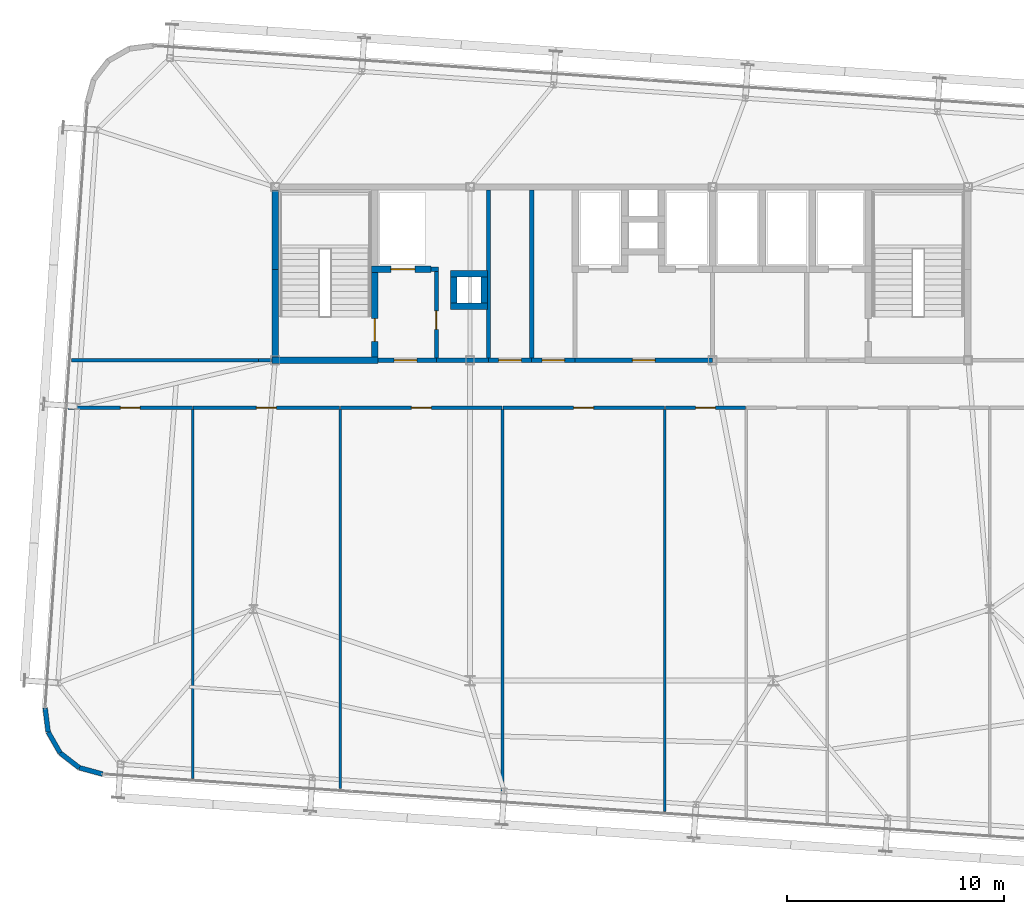
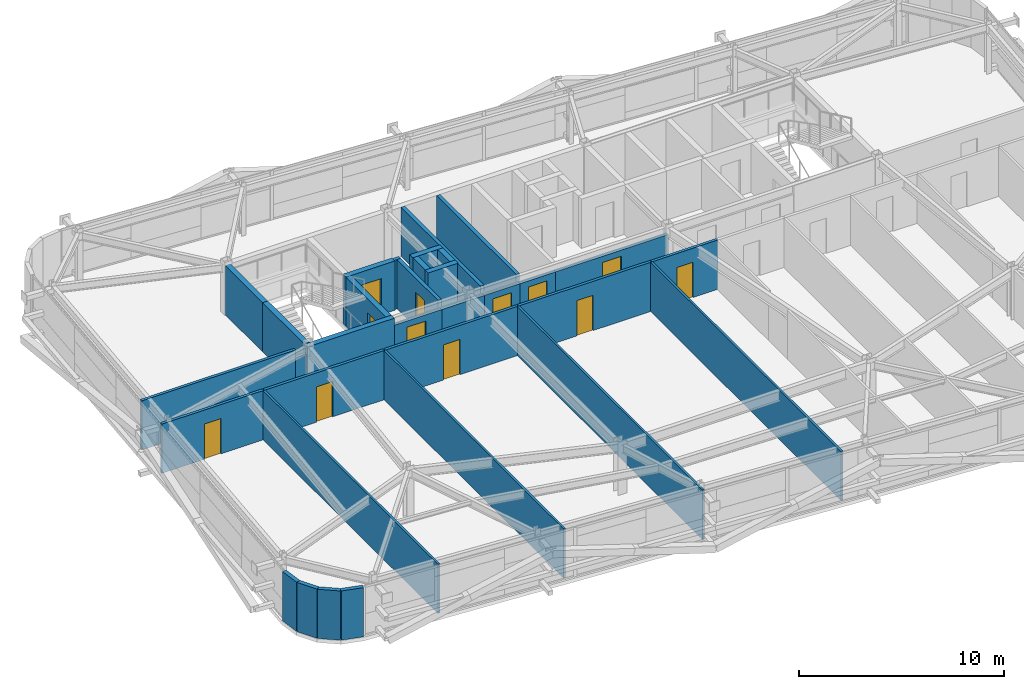
# One storey, part 35 of 39: 33 walls, 12 doors, 12 openings.
"""IFC4 building model written with IfcOpenShell, lengths in metres."""

from ifc_helpers import new_model, si_unit, direction, frame, frame_2d, origin, place, context, subcontext, project, spatial, rectangle, extrude, source, transform, mapped, material, layer, layer_set, type_object, element, fill, save


model = new_model("IFC4")

# Units and contexts
model_context = context("Model", 3, precision=1e-05, world=origin(), true_north=direction((0.0, 1.0)))
body_context = subcontext(model_context, "Body", "Model", "MODEL_VIEW")
ifc_project = project(units=[si_unit("LENGTHUNIT", "METRE"), si_unit("AREAUNIT", "SQUARE_METRE"), si_unit("VOLUMEUNIT", "CUBIC_METRE"), si_unit("PLANEANGLEUNIT", "RADIAN"), si_unit("MASSUNIT", "GRAM", prefix="KILO")], contexts=[model_context])

# Site, building, storey
site_placement = place(None, origin())
site = spatial("IfcSite", under=ifc_project, at=site_placement, CompositionType="ELEMENT")
building_placement = place(site_placement, origin())
building = spatial("IfcBuilding", under=site, at=building_placement, Name="Taldren Reach Tower", CompositionType="ELEMENT")
storey_placement = place(building_placement, frame((0.0, 0.0, 133.0)))
storey = spatial("IfcBuildingStorey", under=building, at=storey_placement, Name="L40", CompositionType="ELEMENT", Elevation=133.0)

# Walls
ifc_material_1 = material(Name="Pale Champagne Anodised Aluminium Cladding", Category="aluminium")
ifc_layer_1 = layer(ifc_material_1, 0.04, Name="Pale Champagne Anodised Aluminium Cladding", Category="aluminium")
ifc_material_2 = material(Name="Mineral Wool Acoustic Insulation", Category="insulation")
ifc_layer_2 = layer(ifc_material_2, 0.06, Name="Mineral Wool Acoustic Insulation", Category="insulation")
ifc_material_3 = material(Name="Steel Gr 350 (C350L0)", Category="steel")
ifc_layer_3 = layer(ifc_material_3, 0.12, Name="Steel Gr 350 (C350L0)", Category="steel")
ifc_layer_set_1 = layer_set([ifc_layer_1, ifc_layer_2, ifc_layer_3], Name="Pale Champagne Aluminium Cladding and Steel Gr 350 Stud Framing")
wall_type_1 = type_object("IfcWallType", Name="EW-CRN-220", PredefinedType="SOLIDWALL", material=ifc_layer_set_1)
shared_shape_1 = source(origin(), body_context, "Body", "SweptSolid", [
    extrude(rectangle(XDim=1.115966796875, YDim=0.219970703125, at=frame_2d((0.55810546875, 0.0))), origin(), (0.0, 0.0, 1.0), 2.929931640625),
])
for number, where, z_axis, x_axis, name in (
    (1, (8.37646484375, 7.93798828125, 0.0), (0.0, 0.0, 1.0), (0.126242535829, -0.991999406324, 0.0), "Rounded-corner pale-metal facade wall L40-SW1"),
    (2, (8.517333984375, 6.8310546875, 0.0), (0.0, 0.0, 1.0), (0.496138938357, -0.868243142124, 0.0), "Rounded-corner pale-metal facade wall L40-SW2"),
    (3, (9.071044921875, 5.862060546875, 0.0), (0.0, 0.0, 1.0), (0.790716874741, -0.612182018684, 0.0), "Rounded-corner pale-metal facade wall L40-SW3"),
    (4, (9.953369140625, 5.178955078125, 0.0), (0.0, 0.0, 1.0), (0.964804199372, -0.262969307856, 0.0), "Rounded-corner pale-metal facade wall L40-SW4"),
):
    element("IfcWall", number, at=place(storey_placement, frame(where, z_axis=z_axis, x_axis=x_axis)), inside=storey, type_object=wall_type_1, Name=name, PredefinedType="SOLIDWALL", context=body_context, shape_type="MappedRepresentation", body=[
        mapped(shared_shape_1, transform((0.0, 0.0, 0.0), scale=1.0)),
    ])

# Wall, opening, door
ifc_material_4 = material(Name="Concrete S50 (50 MPa)", Category="concrete")
ifc_layer_4 = layer(ifc_material_4, 0.199951171875)
ifc_layer_set_2 = layer_set([ifc_layer_4], Name="Concrete S50 (50 MPa)")
wall_type_2 = type_object("IfcWallType", Name="IW-CORE-200", PredefinedType="SOLIDWALL", material=ifc_layer_set_2)
shared_shape_2 = source(origin(), body_context, "Body", "SweptSolid", [
    extrude(rectangle(XDim=2.0, YDim=0.199951171875, at=frame_2d((1.0, 0.0))), origin(), (0.0, 0.0, 1.0), 2.469970703125),
])
wall_1_placement = place(storey_placement, frame((30.85009765625, 24.0, 0.0), z_axis=(0.0, 0.0, 1.0), x_axis=(-1.0, 0.0, 0.0)))
wall_1 = element("IfcWall", 5, at=wall_1_placement, inside=storey, type_object=wall_type_2, Name="Rear Core Shear Wall W-INT-L40-039", PredefinedType="SOLIDWALL", context=body_context, shape_type="MappedRepresentation", body=[
    mapped(shared_shape_2, transform((0.0, 0.0, 0.0), scale=1.0)),
])
shared_shape_3 = source(origin(), body_context, "Body", "SweptSolid", [
    extrude(rectangle(XDim=1.050048828125, YDim=2.10009765625, at=frame_2d((0.52490234375, 1.050048828125))), frame((0.0, 0.10986328125, 0.0), z_axis=(0.0, -1.0, 0.0), x_axis=(1.0, 0.0, 0.0)), (0.0, 0.0, 1.0), 0.219970703125),
])
opening_1_placement = place(wall_1_placement, frame((0.47509765625, 0.0, 0.0)))
opening_1 = element("IfcOpeningElement", 6, at=opening_1_placement, cuts=wall_1, Name="Opening DF-105", PredefinedType="OPENING", context=body_context, shape_type="MappedRepresentation", body=[
    mapped(shared_shape_3, transform((0.0, 0.0, 0.0), scale=1.0)),
])
ifc_material_5 = material(Name="Fire-Rated Care and Stair Exit Door")
door_type_1 = type_object("IfcDoorType", Name="ID-FIRE-105", OperationType="NOTDEFINED", PredefinedType="DOOR", material=ifc_material_5)
shared_shape_4 = source(origin(), body_context, "Body", "SweptSolid", [
    extrude(rectangle(XDim=1.050048828125, YDim=2.10009765625, at=frame_2d((0.52490234375, 1.050048828125))), frame((0.0, 0.02490234375, 0.0), z_axis=(0.0, -1.0, 0.0), x_axis=(1.0, 0.0, 0.0)), (0.0, 0.0, 1.0), 0.050048828125),
])
door_1_placement = place(opening_1_placement, frame((1.050048828125, 0.0, 0.0), z_axis=(0.0, 0.0, 1.0), x_axis=(-1.0, 0.0, 0.0)))
door_1 = element("IfcDoor", 7, at=door_1_placement, inside=storey, type_object=door_type_1, Name="Interior Door DR-L40-006", OperationType="SINGLE_SWING_RIGHT", OverallHeight=2.10009765625, OverallWidth=1.050048828125, PredefinedType="DOOR", context=body_context, shape_type="MappedRepresentation", body=[
    mapped(shared_shape_4, transform((0.0, 0.0, 0.0), scale=1.0)),
])
fill(opening_1, door_1)

wall_2_placement = place(storey_placement, frame((32.85009765625, 24.0, 0.0), z_axis=(0.0, 0.0, 1.0), x_axis=(-1.0, 0.0, 0.0)))
wall_2 = element("IfcWall", 8, at=wall_2_placement, inside=storey, type_object=wall_type_2, Name="Rear Core Shear Wall W-INT-L40-040", PredefinedType="SOLIDWALL", context=body_context, shape_type="MappedRepresentation", body=[
    mapped(shared_shape_2, transform((0.0, 0.0, 0.0), scale=1.0)),
])
opening_2_placement = place(wall_2_placement, frame((0.47509765625, 0.0, 0.0)))
opening_2 = element("IfcOpeningElement", 9, at=opening_2_placement, cuts=wall_2, Name="Opening DF-105", PredefinedType="OPENING", context=body_context, shape_type="MappedRepresentation", body=[
    mapped(shared_shape_3, transform((0.0, 0.0, 0.0), scale=1.0)),
])
door_2_placement = place(opening_2_placement, frame((1.050048828125, 0.0, 0.0), z_axis=(0.0, 0.0, 1.0), x_axis=(-1.0, 0.0, 0.0)))
door_2 = element("IfcDoor", 10, at=door_2_placement, inside=storey, type_object=door_type_1, Name="Interior Door DR-L40-007", OperationType="SINGLE_SWING_LEFT", OverallHeight=2.10009765625, OverallWidth=1.050048828125, PredefinedType="DOOR", context=body_context, shape_type="MappedRepresentation", body=[
    mapped(shared_shape_4, transform((0.0, 0.0, 0.0), scale=1.0)),
])
fill(opening_2, door_2)

# Walls
ifc_material_6 = material(Name="Concrete S65 (65 MPa)", Category="concrete")
ifc_layer_5 = layer(ifc_material_6, 0.300048828125)
ifc_layer_set_3 = layer_set([ifc_layer_5], Name="Concrete S65 (65 MPa)")
wall_type_3 = type_object("IfcWallType", Name="IW-CORE-300", PredefinedType="SHEAR", material=ifc_layer_set_3)
shared_shape_5 = source(origin(), body_context, "Body", "SweptSolid", [
    extrude(rectangle(XDim=4.050048828125, YDim=0.300048828125, at=frame_2d((2.02490234375, 0.0))), origin(), (0.0, 0.0, 1.0), 2.929931640625),
])
wall_3_placement = place(storey_placement, frame((19.0, 24.14990234375, 0.0), z_axis=(0.0, 0.0, 1.0), x_axis=(0.0, 1.0, 0.0)))
element("IfcWall", 11, at=wall_3_placement, inside=storey, type_object=wall_type_3, Name="Rear Core Shear Wall W-CORE-L40-WEST1", PredefinedType="SHEAR", context=body_context, shape_type="MappedRepresentation", body=[
    mapped(shared_shape_5, transform((0.0, 0.0, 0.0), scale=1.0)),
])
shared_shape_6 = source(origin(), body_context, "Body", "SweptSolid", [
    extrude(rectangle(XDim=3.650146484375, YDim=0.300048828125, at=frame_2d((1.8251953125, 0.0))), origin(), (0.0, 0.0, 1.0), 2.929931640625),
])
wall_4_placement = place(storey_placement, frame((19.0, 28.199951171875, 0.0), z_axis=(0.0, 0.0, 1.0), x_axis=(0.0, 1.0, 0.0)))
element("IfcWall", 12, at=wall_4_placement, inside=storey, type_object=wall_type_3, Name="Rear Core Shear Wall W-CORE-L40-WEST2", PredefinedType="SHEAR", context=body_context, shape_type="MappedRepresentation", body=[
    mapped(shared_shape_6, transform((0.0, 0.0, 0.0), scale=1.0)),
])

# Wall, opening, door
shared_shape_7 = source(origin(), body_context, "Body", "SweptSolid", [
    extrude(rectangle(XDim=3.900146484375, YDim=0.300048828125, at=frame_2d((1.9501953125, 0.0))), origin(), (0.0, 0.0, 1.0), 2.929931640625),
])
wall_5_placement = place(storey_placement, frame((23.60009765625, 24.14990234375, 0.0), z_axis=(0.0, 0.0, 1.0), x_axis=(0.0, 1.0, 0.0)))
wall_5 = element("IfcWall", 13, at=wall_5_placement, inside=storey, type_object=wall_type_3, Name="Rear Core Shear Wall W-INT-L40-002", PredefinedType="SHEAR", context=body_context, shape_type="MappedRepresentation", body=[
    mapped(shared_shape_7, transform((0.0, 0.0, 0.0), scale=1.0)),
])
shared_shape_8 = source(origin(), body_context, "Body", "SweptSolid", [
    extrude(rectangle(XDim=1.050048828125, YDim=2.10009765625, at=frame_2d((0.52490234375, 1.050048828125))), frame((0.0, 0.16015625, 0.0), z_axis=(0.0, -1.0, 0.0), x_axis=(1.0, 0.0, 0.0)), (0.0, 0.0, 1.0), 0.320068359375),
])
opening_3_placement = place(wall_5_placement, frame((0.72509765625, 0.0, 0.0)))
opening_3 = element("IfcOpeningElement", 14, at=opening_3_placement, cuts=wall_5, Name="Opening DF-105", PredefinedType="OPENING", context=body_context, shape_type="MappedRepresentation", body=[
    mapped(shared_shape_8, transform((0.0, 0.0, 0.0), scale=1.0)),
])
door_3_placement = place(opening_3_placement, origin())
door_3 = element("IfcDoor", 15, at=door_3_placement, inside=storey, type_object=door_type_1, Name="Fire Exit Stair Door DR-L40-001", OperationType="SINGLE_SWING_LEFT", OverallHeight=2.10009765625, OverallWidth=1.050048828125, PredefinedType="DOOR", context=body_context, shape_type="MappedRepresentation", body=[
    mapped(shared_shape_4, transform((0.0, 0.0, 0.0), scale=1.0)),
])
fill(opening_3, door_3)

# Wall
shared_shape_9 = source(origin(), body_context, "Body", "SweptSolid", [
    extrude(rectangle(XDim=4.89990234375, YDim=0.300048828125, at=frame_2d((2.449951171875, 0.0))), origin(), (0.0, 0.0, 1.0), 2.929931640625),
])
wall_6_placement = place(storey_placement, frame((18.85009765625, 24.0, 0.0), z_axis=(0.0, 0.0, 1.0), x_axis=(1.0, 0.0, 0.0)))
element("IfcWall", 16, at=wall_6_placement, inside=storey, type_object=wall_type_3, Name="Rear Core Shear Wall W-INT-L40-003", PredefinedType="SHEAR", context=body_context, shape_type="MappedRepresentation", body=[
    mapped(shared_shape_9, transform((0.0, 0.0, 0.0), scale=1.0)),
])

# Wall, opening, door
shared_shape_10 = source(origin(), body_context, "Body", "SweptSolid", [
    extrude(rectangle(XDim=2.699951171875, YDim=0.199951171875, at=frame_2d((1.35009765625, 0.0))), origin(), (0.0, 0.0, 1.0), 2.469970703125),
])
wall_7_placement = place(storey_placement, frame((23.75, 24.0, 0.0), z_axis=(0.0, 0.0, 1.0), x_axis=(1.0, 0.0, 0.0)))
wall_7 = element("IfcWall", 17, at=wall_7_placement, inside=storey, type_object=wall_type_2, Name="Rear Core Shear Wall W-INT-L40-006", PredefinedType="SOLIDWALL", context=body_context, shape_type="MappedRepresentation", body=[
    mapped(shared_shape_10, transform((0.0, 0.0, 0.0), scale=1.0)),
])
opening_4_placement = place(wall_7_placement, frame((0.75, 0.0, 0.0)))
opening_4 = element("IfcOpeningElement", 18, at=opening_4_placement, cuts=wall_7, Name="Opening DF-105", PredefinedType="OPENING", context=body_context, shape_type="MappedRepresentation", body=[
    mapped(shared_shape_3, transform((0.0, 0.0, 0.0), scale=1.0)),
])
door_4_placement = place(opening_4_placement, origin())
door_4 = element("IfcDoor", 19, at=door_4_placement, inside=storey, type_object=door_type_1, Name="Interior Door DR-L40-002", OperationType="SINGLE_SWING_LEFT", OverallHeight=2.10009765625, OverallWidth=1.050048828125, PredefinedType="DOOR", context=body_context, shape_type="MappedRepresentation", body=[
    mapped(shared_shape_4, transform((0.0, 0.0, 0.0), scale=1.0)),
])
fill(opening_4, door_4)

# Walls
shared_shape_11 = source(origin(), body_context, "Body", "SweptSolid", [
    extrude(rectangle(XDim=1.2001953125, YDim=0.300048828125, at=frame_2d((0.60009765625, 0.0))), origin(), (0.0, 0.0, 1.0), 2.929931640625),
])
for number, where, z_axis, x_axis, name in (
    (20, (28.64990234375, 26.64990234375, 0.0), (0.0, 0.0, 1.0), (0.0, 1.0, 0.0), "Rear Core Shear Wall W-INT-L40-020"),
    (21, (27.25, 27.85009765625, 0.0), (0.0, 0.0, 1.0), (0.0, -1.0, 0.0), "Rear Core Shear Wall W-INT-L40-021"),
):
    element("IfcWall", number, at=place(storey_placement, frame(where, z_axis=z_axis, x_axis=x_axis)), inside=storey, type_object=wall_type_3, Name=name, PredefinedType="SHEAR", context=body_context, shape_type="MappedRepresentation", body=[
        mapped(shared_shape_11, transform((0.0, 0.0, 0.0), scale=1.0)),
    ])

# Wall, opening, door
ifc_material_7 = material(Name="Fire-Rated Acoustic Plasterboard Stud Wall", Category="gypsum")
ifc_layer_6 = layer(ifc_material_7, 0.159912109375)
ifc_layer_set_4 = layer_set([ifc_layer_6], Name="Fire-Rated Acoustic Plasterboard Stud Wall")
wall_type_4 = type_object("IfcWallType", Name="IW-FIRE-160", PredefinedType="PARTITIONING", material=ifc_layer_set_4)
shared_shape_12 = source(origin(), body_context, "Body", "SweptSolid", [
    extrude(rectangle(XDim=3.70947265625, YDim=0.159912109375, at=frame_2d((1.854736328125, 0.0))), origin(), (0.0, 0.0, 1.0), 2.929931640625),
])
wall_8_placement = place(storey_placement, frame((40.729736328125, 21.800048828125, 0.0), z_axis=(0.0, 0.0, 1.0), x_axis=(-1.0, 0.0, 0.0)))
wall_8 = element("IfcWall", 22, at=wall_8_placement, inside=storey, type_object=wall_type_4, Name="Interior Partition Wall W-INT-L40-046", PredefinedType="PARTITIONING", context=body_context, shape_type="MappedRepresentation", body=[
    mapped(shared_shape_12, transform((0.0, 0.0, 0.0), scale=1.0)),
])
shared_shape_13 = source(origin(), body_context, "Body", "SweptSolid", [
    extrude(rectangle(XDim=0.919921875, YDim=2.10009765625, at=frame_2d((0.4599609375, 1.050048828125))), frame((0.0, 0.08984375, 0.0), z_axis=(0.0, -1.0, 0.0), x_axis=(1.0, 0.0, 0.0)), (0.0, 0.0, 1.0), 0.179931640625),
])
opening_5_placement = place(wall_8_placement, frame((1.394775390625, 0.0, 0.0)))
opening_5 = element("IfcOpeningElement", 23, at=opening_5_placement, cuts=wall_8, Name="Opening DI-092", PredefinedType="OPENING", context=body_context, shape_type="MappedRepresentation", body=[
    mapped(shared_shape_13, transform((0.0, 0.0, 0.0), scale=1.0)),
])
ifc_material_8 = material(Name="Solid-Core Timber Suite Door", Category="wood")
door_type_2 = type_object("IfcDoorType", Name="ID-INT-092", OperationType="NOTDEFINED", PredefinedType="DOOR", material=ifc_material_8)
shared_shape_14 = source(origin(), body_context, "Body", "SweptSolid", [
    extrude(rectangle(XDim=0.919921875, YDim=2.10009765625, at=frame_2d((0.4599609375, 1.050048828125))), frame((0.0, 0.02490234375, 0.0), z_axis=(0.0, -1.0, 0.0), x_axis=(1.0, 0.0, 0.0)), (0.0, 0.0, 1.0), 0.050048828125),
])
door_5_placement = place(opening_5_placement, origin())
door_5 = element("IfcDoor", 24, at=door_5_placement, inside=storey, type_object=door_type_2, Name="Interior Door DR-L40-013", OperationType="SINGLE_SWING_RIGHT", OverallHeight=2.10009765625, OverallWidth=0.919921875, PredefinedType="DOOR", context=body_context, shape_type="MappedRepresentation", body=[
    mapped(shared_shape_14, transform((0.0, 0.0, 0.0), scale=1.0)),
])
fill(opening_5, door_5)

shared_shape_15 = source(origin(), body_context, "Body", "SweptSolid", [
    extrude(rectangle(XDim=4.0, YDim=0.199951171875, at=frame_2d((2.0, 0.0))), origin(), (0.0, 0.0, 1.0), 2.929931640625),
])
wall_9_placement = place(storey_placement, frame((26.449951171875, 24.10009765625, 0.0), z_axis=(0.0, 0.0, 1.0), x_axis=(0.0, 1.0, 0.0)))
wall_9 = element("IfcWall", 25, at=wall_9_placement, inside=storey, type_object=wall_type_2, Name="Rear Core Shear Wall W-INT-L40-005", PredefinedType="SOLIDWALL", context=body_context, shape_type="MappedRepresentation", body=[
    mapped(shared_shape_15, transform((0.0, 0.0, 0.0), scale=1.0)),
])
shared_shape_16 = source(origin(), body_context, "Body", "SweptSolid", [
    extrude(rectangle(XDim=0.860107421875, YDim=2.10009765625, at=frame_2d((0.43017578125, 1.050048828125))), frame((0.0, 0.10986328125, 0.0), z_axis=(0.0, -1.0, 0.0), x_axis=(1.0, 0.0, 0.0)), (0.0, 0.0, 1.0), 0.219970703125),
])
opening_6_placement = place(wall_9_placement, frame((1.320068359375, 0.0, 0.0)))
opening_6 = element("IfcOpeningElement", 26, at=opening_6_placement, cuts=wall_9, Name="Opening DI-086", PredefinedType="OPENING", context=body_context, shape_type="MappedRepresentation", body=[
    mapped(shared_shape_16, transform((0.0, 0.0, 0.0), scale=1.0)),
])
ifc_material_9 = material(Name="Timber Bathroom Door", Category="wood")
door_type_3 = type_object("IfcDoorType", Name="ID-INT-086", OperationType="NOTDEFINED", PredefinedType="DOOR", material=ifc_material_9)
shared_shape_17 = source(origin(), body_context, "Body", "SweptSolid", [
    extrude(rectangle(XDim=0.860107421875, YDim=2.10009765625, at=frame_2d((0.43017578125, 1.050048828125))), frame((0.0, 0.02490234375, 0.0), z_axis=(0.0, -1.0, 0.0), x_axis=(1.0, 0.0, 0.0)), (0.0, 0.0, 1.0), 0.050048828125),
])
door_6_placement = place(opening_6_placement, frame((0.860107421875, 0.0, 0.0), z_axis=(0.0, 0.0, 1.0), x_axis=(-1.0, 0.0, 0.0)))
door_6 = element("IfcDoor", 27, at=door_6_placement, inside=storey, type_object=door_type_3, Name="Interior Door DR-L40-020", OperationType="SINGLE_SWING_RIGHT", OverallHeight=2.10009765625, OverallWidth=0.860107421875, PredefinedType="DOOR", context=body_context, shape_type="MappedRepresentation", body=[
    mapped(shared_shape_17, transform((0.0, 0.0, 0.0), scale=1.0)),
])
fill(opening_6, door_6)

# Walls
shared_shape_18 = source(origin(), body_context, "Body", "SweptSolid", [
    extrude(rectangle(XDim=1.699951171875, YDim=0.300048828125, at=frame_2d((0.85009765625, 0.0))), origin(), (0.0, 0.0, 1.0), 2.929931640625),
])
for number, where, z_axis, x_axis, name in (
    (28, (28.800048828125, 28.0, 0.0), (0.0, 0.0, 1.0), (-1.0, 0.0, 0.0), "Rear Core Shear Wall W-INT-L40-022"),
    (29, (27.10009765625, 26.5, 0.0), (0.0, 0.0, 1.0), (1.0, 0.0, 0.0), "Rear Core Shear Wall W-INT-L40-023"),
):
    element("IfcWall", number, at=place(storey_placement, frame(where, z_axis=z_axis, x_axis=x_axis)), inside=storey, type_object=wall_type_3, Name=name, PredefinedType="SHEAR", context=body_context, shape_type="MappedRepresentation", body=[
        mapped(shared_shape_18, transform((0.0, 0.0, 0.0), scale=1.0)),
    ])

# Wall, opening, door
shared_shape_19 = source(origin(), body_context, "Body", "SweptSolid", [
    extrude(rectangle(XDim=6.349853515625, YDim=0.199951171875, at=frame_2d((3.1748046875, 0.0))), origin(), (0.0, 0.0, 1.0), 2.469970703125),
])
wall_10_placement = place(storey_placement, frame((39.199951171875, 24.0, 0.0), z_axis=(0.0, 0.0, 1.0), x_axis=(-1.0, 0.0, 0.0)))
wall_10 = element("IfcWall", 30, at=wall_10_placement, inside=storey, type_object=wall_type_2, Name="Rear Core Shear Wall W-INT-L40-032", PredefinedType="SOLIDWALL", context=body_context, shape_type="MappedRepresentation", body=[
    mapped(shared_shape_19, transform((0.0, 0.0, 0.0), scale=1.0)),
])
opening_7_placement = place(wall_10_placement, frame((2.64990234375, 0.0, 0.0)))
opening_7 = element("IfcOpeningElement", 31, at=opening_7_placement, cuts=wall_10, Name="Opening DF-105", PredefinedType="OPENING", context=body_context, shape_type="MappedRepresentation", body=[
    mapped(shared_shape_3, transform((0.0, 0.0, 0.0), scale=1.0)),
])
door_7_placement = place(opening_7_placement, frame((1.050048828125, 0.0, 0.0), z_axis=(0.0, 0.0, 1.0), x_axis=(-1.0, 0.0, 0.0)))
door_7 = element("IfcDoor", 32, at=door_7_placement, inside=storey, type_object=door_type_1, Name="Interior Door DR-L40-005", OperationType="SINGLE_SWING_LEFT", OverallHeight=2.10009765625, OverallWidth=1.050048828125, PredefinedType="DOOR", context=body_context, shape_type="MappedRepresentation", body=[
    mapped(shared_shape_4, transform((0.0, 0.0, 0.0), scale=1.0)),
])
fill(opening_7, door_7)

# Walls
shared_shape_20 = source(origin(), body_context, "Body", "SweptSolid", [
    extrude(rectangle(XDim=8.65234375, YDim=0.159912109375, at=frame_2d((4.326171875, 0.0))), origin(), (0.0, 0.0, 1.0), 2.929931640625),
])
wall_11_placement = place(storey_placement, frame((9.584228515625, 24.0, 0.0), z_axis=(0.0, 0.0, 1.0), x_axis=(1.0, 0.0, 0.0)))
element("IfcWall", 33, at=wall_11_placement, inside=storey, type_object=wall_type_4, Name="Interior Partition Wall W-INT-L40-053", PredefinedType="PARTITIONING", context=body_context, shape_type="MappedRepresentation", body=[
    mapped(shared_shape_20, transform((0.0, 0.0, 0.0), scale=1.0)),
])
shared_shape_21 = source(origin(), body_context, "Body", "SweptSolid", [
    extrude(rectangle(XDim=0.613525390625, YDim=0.159912109375, at=frame_2d((0.306640625, 0.0))), origin(), (0.0, 0.0, 1.0), 2.469970703125),
])
wall_12_placement = place(storey_placement, frame((18.236572265625, 24.0, 0.0), z_axis=(0.0, 0.0, 1.0), x_axis=(1.0, 0.0, 0.0)))
element("IfcWall", 34, at=wall_12_placement, inside=storey, type_object=wall_type_4, Name="Interior Partition Wall W-INT-L40-053 part 2", PredefinedType="PARTITIONING", context=body_context, shape_type="MappedRepresentation", body=[
    mapped(shared_shape_21, transform((0.0, 0.0, 0.0), scale=1.0)),
])

# Wall, opening, door
shared_shape_22 = source(origin(), body_context, "Body", "SweptSolid", [
    extrude(rectangle(XDim=2.75, YDim=0.300048828125, at=frame_2d((1.375, 0.0))), origin(), (0.0, 0.0, 1.0), 2.929931640625),
])
wall_13_placement = place(storey_placement, frame((23.449951171875, 28.199951171875, 0.0), z_axis=(0.0, 0.0, 1.0), x_axis=(1.0, 0.0, 0.0)))
wall_13 = element("IfcWall", 35, at=wall_13_placement, inside=storey, type_object=wall_type_3, Name="Rear Core Shear Wall W-INT-L40-004", PredefinedType="SHEAR", context=body_context, shape_type="MappedRepresentation", body=[
    mapped(shared_shape_22, transform((0.0, 0.0, 0.0), scale=1.0)),
])
shared_shape_23 = source(origin(), body_context, "Body", "SweptSolid", [
    extrude(rectangle(XDim=1.10009765625, YDim=2.14990234375, at=frame_2d((0.550048828125, 1.074951171875))), frame((0.0, 0.16015625, 0.0), z_axis=(0.0, -1.0, 0.0), x_axis=(1.0, 0.0, 0.0)), (0.0, 0.0, 1.0), 0.320068359375),
])
opening_8_placement = place(wall_13_placement, frame((0.89990234375, 0.0, 0.0)))
opening_8 = element("IfcOpeningElement", 36, at=opening_8_placement, cuts=wall_13, Name="Opening LD-FL1", PredefinedType="OPENING", context=body_context, shape_type="MappedRepresentation", body=[
    mapped(shared_shape_23, transform((0.0, 0.0, 0.0), scale=1.0)),
])
ifc_material_10 = material(Name="Stainless Steel Gr 316 Emergency Lift Landing Door", Category="steel")
door_type_4 = type_object("IfcDoorType", Name="LD-EMG-110", OperationType="SLIDING_TO_LEFT", PredefinedType="DOOR", material=ifc_material_10)
shared_shape_24 = source(origin(), body_context, "Body", "SweptSolid", [
    extrude(rectangle(XDim=1.10009765625, YDim=2.14990234375, at=frame_2d((0.550048828125, 1.074951171875))), frame((0.0, 0.02490234375, 0.0), z_axis=(0.0, -1.0, 0.0), x_axis=(1.0, 0.0, 0.0)), (0.0, 0.0, 1.0), 0.050048828125),
])
door_8_placement = place(opening_8_placement, origin())
door_8 = element("IfcDoor", 37, at=door_8_placement, inside=storey, type_object=door_type_4, Name="Lift Landing Door LD-FL1-L40", OperationType="SLIDING_TO_LEFT", OverallHeight=2.14990234375, OverallWidth=1.10009765625, PredefinedType="DOOR", context=body_context, shape_type="MappedRepresentation", body=[
    mapped(shared_shape_24, transform((0.0, 0.0, 0.0), scale=1.0)),
])
fill(opening_8, door_8)

# Walls
shared_shape_25 = source(origin(), body_context, "Body", "SweptSolid", [
    extrude(rectangle(XDim=7.75, YDim=0.199951171875, at=frame_2d((3.875, 0.0))), origin(), (0.0, 0.0, 1.0), 2.929931640625),
])
for number, where, z_axis, x_axis, name in (
    (38, (28.85009765625, 31.85009765625, 0.0), (0.0, 0.0, 1.0), (0.0, -1.0, 0.0), "Rear Core Shear Wall W-INT-L40-036"),
    (39, (30.85009765625, 31.85009765625, 0.0), (0.0, 0.0, 1.0), (0.0, -1.0, 0.0), "Rear Core Shear Wall W-INT-L40-038"),
):
    element("IfcWall", number, at=place(storey_placement, frame(where, z_axis=z_axis, x_axis=x_axis)), inside=storey, type_object=wall_type_2, Name=name, PredefinedType="SOLIDWALL", context=body_context, shape_type="MappedRepresentation", body=[
        mapped(shared_shape_25, transform((0.0, 0.0, 0.0), scale=1.0)),
    ])
shared_shape_26 = source(origin(), body_context, "Body", "SweptSolid", [
    extrude(rectangle(XDim=2.400146484375, YDim=0.199951171875, at=frame_2d((1.2001953125, 0.0))), origin(), (0.0, 0.0, 1.0), 2.469970703125),
])
wall_14_placement = place(storey_placement, frame((28.85009765625, 24.0, 0.0), z_axis=(0.0, 0.0, 1.0), x_axis=(-1.0, 0.0, 0.0)))
element("IfcWall", 40, at=wall_14_placement, inside=storey, type_object=wall_type_2, Name="Rear Core Shear Wall W-INT-L40-037", PredefinedType="SOLIDWALL", context=body_context, shape_type="MappedRepresentation", body=[
    mapped(shared_shape_26, transform((0.0, 0.0, 0.0), scale=1.0)),
])

# Wall, opening, door
shared_shape_27 = source(origin(), body_context, "Body", "SweptSolid", [
    extrude(rectangle(XDim=5.732177734375, YDim=0.159912109375, at=frame_2d((2.8662109375, 0.0))), origin(), (0.0, 0.0, 1.0), 2.929931640625),
])
wall_15_placement = place(storey_placement, frame((15.173583984375, 21.800048828125, 0.0), z_axis=(0.0, 0.0, 1.0), x_axis=(-1.0, 0.0, 0.0)))
wall_15 = element("IfcWall", 41, at=wall_15_placement, inside=storey, type_object=wall_type_4, Name="Interior Partition Wall W-INT-L40-042", PredefinedType="PARTITIONING", context=body_context, shape_type="MappedRepresentation", body=[
    mapped(shared_shape_27, transform((0.0, 0.0, 0.0), scale=1.0)),
])
opening_9_placement = place(wall_15_placement, frame((2.406005859375, 0.0, 0.0)))
opening_9 = element("IfcOpeningElement", 42, at=opening_9_placement, cuts=wall_15, Name="Opening DI-092", PredefinedType="OPENING", context=body_context, shape_type="MappedRepresentation", body=[
    mapped(shared_shape_13, transform((0.0, 0.0, 0.0), scale=1.0)),
])
door_9_placement = place(opening_9_placement, origin())
door_9 = element("IfcDoor", 43, at=door_9_placement, inside=storey, type_object=door_type_2, Name="Interior Door DR-L40-009", OperationType="SINGLE_SWING_RIGHT", OverallHeight=2.10009765625, OverallWidth=0.919921875, PredefinedType="DOOR", context=body_context, shape_type="MappedRepresentation", body=[
    mapped(shared_shape_14, transform((0.0, 0.0, 0.0), scale=1.0)),
])
fill(opening_9, door_9)

shared_shape_28 = source(origin(), body_context, "Body", "SweptSolid", [
    extrude(rectangle(XDim=6.765380859375, YDim=0.159912109375, at=frame_2d((3.3828125, 0.0))), origin(), (0.0, 0.0, 1.0), 2.929931640625),
])
wall_16_placement = place(storey_placement, frame((21.9794921875, 21.800048828125, 0.0), z_axis=(0.0, 0.0, 1.0), x_axis=(-1.0, 0.0, 0.0)))
wall_16 = element("IfcWall", 44, at=wall_16_placement, inside=storey, type_object=wall_type_4, Name="Interior Partition Wall W-INT-L40-043", PredefinedType="PARTITIONING", context=body_context, shape_type="MappedRepresentation", body=[
    mapped(shared_shape_28, transform((0.0, 0.0, 0.0), scale=1.0)),
])
opening_10_placement = place(wall_16_placement, frame((2.922607421875, 0.0, 0.0)))
opening_10 = element("IfcOpeningElement", 45, at=opening_10_placement, cuts=wall_16, Name="Opening DI-092", PredefinedType="OPENING", context=body_context, shape_type="MappedRepresentation", body=[
    mapped(shared_shape_13, transform((0.0, 0.0, 0.0), scale=1.0)),
])
door_10_placement = place(opening_10_placement, origin())
door_10 = element("IfcDoor", 46, at=door_10_placement, inside=storey, type_object=door_type_2, Name="Interior Door DR-L40-010", OperationType="SINGLE_SWING_LEFT", OverallHeight=2.10009765625, OverallWidth=0.919921875, PredefinedType="DOOR", context=body_context, shape_type="MappedRepresentation", body=[
    mapped(shared_shape_14, transform((0.0, 0.0, 0.0), scale=1.0)),
])
fill(opening_10, door_10)

shared_shape_29 = source(origin(), body_context, "Body", "SweptSolid", [
    extrude(rectangle(XDim=7.45947265625, YDim=0.159912109375, at=frame_2d((3.729736328125, 0.0))), origin(), (0.0, 0.0, 1.0), 2.929931640625),
])
wall_17_placement = place(storey_placement, frame((29.479736328125, 21.800048828125, 0.0), z_axis=(0.0, 0.0, 1.0), x_axis=(-1.0, 0.0, 0.0)))
wall_17 = element("IfcWall", 47, at=wall_17_placement, inside=storey, type_object=wall_type_4, Name="Interior Partition Wall W-INT-L40-044", PredefinedType="PARTITIONING", context=body_context, shape_type="MappedRepresentation", body=[
    mapped(shared_shape_29, transform((0.0, 0.0, 0.0), scale=1.0)),
])
opening_11_placement = place(wall_17_placement, frame((3.269775390625, 0.0, 0.0)))
opening_11 = element("IfcOpeningElement", 48, at=opening_11_placement, cuts=wall_17, Name="Opening DI-092", PredefinedType="OPENING", context=body_context, shape_type="MappedRepresentation", body=[
    mapped(shared_shape_13, transform((0.0, 0.0, 0.0), scale=1.0)),
])
door_11_placement = place(opening_11_placement, origin())
door_11 = element("IfcDoor", 49, at=door_11_placement, inside=storey, type_object=door_type_2, Name="Interior Door DR-L40-011", OperationType="SINGLE_SWING_RIGHT", OverallHeight=2.10009765625, OverallWidth=0.919921875, PredefinedType="DOOR", context=body_context, shape_type="MappedRepresentation", body=[
    mapped(shared_shape_14, transform((0.0, 0.0, 0.0), scale=1.0)),
])
fill(opening_11, door_11)

wall_18_placement = place(storey_placement, frame((36.979736328125, 21.800048828125, 0.0), z_axis=(0.0, 0.0, 1.0), x_axis=(-1.0, 0.0, 0.0)))
wall_18 = element("IfcWall", 50, at=wall_18_placement, inside=storey, type_object=wall_type_4, Name="Interior Partition Wall W-INT-L40-045", PredefinedType="PARTITIONING", context=body_context, shape_type="MappedRepresentation", body=[
    mapped(shared_shape_29, transform((0.0, 0.0, 0.0), scale=1.0)),
])
opening_12_placement = place(wall_18_placement, frame((3.269775390625, 0.0, 0.0)))
opening_12 = element("IfcOpeningElement", 51, at=opening_12_placement, cuts=wall_18, Name="Opening DI-092", PredefinedType="OPENING", context=body_context, shape_type="MappedRepresentation", body=[
    mapped(shared_shape_13, transform((0.0, 0.0, 0.0), scale=1.0)),
])
door_12_placement = place(opening_12_placement, origin())
door_12 = element("IfcDoor", 52, at=door_12_placement, inside=storey, type_object=door_type_2, Name="Interior Door DR-L40-012", OperationType="SINGLE_SWING_LEFT", OverallHeight=2.10009765625, OverallWidth=0.919921875, PredefinedType="DOOR", context=body_context, shape_type="MappedRepresentation", body=[
    mapped(shared_shape_14, transform((0.0, 0.0, 0.0), scale=1.0)),
])
fill(opening_12, door_12)

# Walls
ifc_material_11 = material(Name="Insulated Residential Stud Partition", Category="gypsum")
ifc_layer_7 = layer(ifc_material_11, 0.1201171875)
ifc_layer_set_5 = layer_set([ifc_layer_7], Name="Insulated Residential Stud Partition")
wall_type_5 = type_object("IfcWallType", Name="IW-PART-120", PredefinedType="PARTITIONING", material=ifc_layer_set_5)
shared_shape_30 = source(origin(), body_context, "Body", "SweptSolid", [
    extrude(rectangle(XDim=17.026123046875, YDim=0.1201171875, at=frame_2d((8.51318359375, 0.0))), origin(), (0.0, 0.0, 1.0), 2.929931640625),
])
wall_19_placement = place(storey_placement, frame((15.19384765625, 21.718017578125, 0.0), z_axis=(0.0, 0.0, 1.0), x_axis=(0.0, -1.0, 0.0)))
element("IfcWall", 53, at=wall_19_placement, inside=storey, type_object=wall_type_5, Name="Interior Partition Wall W-INT-L40-054", PredefinedType="PARTITIONING", context=body_context, shape_type="MappedRepresentation", body=[
    mapped(shared_shape_30, transform((0.0, 0.0, 0.0), scale=1.0)),
])
shared_shape_31 = source(origin(), body_context, "Body", "SweptSolid", [
    extrude(rectangle(XDim=17.5, YDim=0.1201171875, at=frame_2d((8.75, 0.0))), origin(), (0.0, 0.0, 1.0), 2.929931640625),
])
wall_20_placement = place(storey_placement, frame((22.0, 21.717041015625, 0.0), z_axis=(0.0, 0.0, 1.0), x_axis=(0.0, -1.0, 0.0)))
element("IfcWall", 54, at=wall_20_placement, inside=storey, type_object=wall_type_5, Name="Interior Partition Wall W-INT-L40-055", PredefinedType="PARTITIONING", context=body_context, shape_type="MappedRepresentation", body=[
    mapped(shared_shape_31, transform((0.0, 0.0, 0.0), scale=1.0)),
])
shared_shape_32 = source(origin(), body_context, "Body", "SweptSolid", [
    extrude(rectangle(XDim=18.0302734375, YDim=0.1201171875, at=frame_2d((9.01513671875, 0.0))), origin(), (0.0, 0.0, 1.0), 2.929931640625),
])
wall_21_placement = place(storey_placement, frame((29.5, 21.719970703125, 0.0), z_axis=(0.0, 0.0, 1.0), x_axis=(0.0, -1.0, 0.0)))
element("IfcWall", 55, at=wall_21_placement, inside=storey, type_object=wall_type_5, Name="Interior Partition Wall W-INT-L40-056", PredefinedType="PARTITIONING", context=body_context, shape_type="MappedRepresentation", body=[
    mapped(shared_shape_32, transform((0.0, 0.0, 0.0), scale=1.0)),
])
shared_shape_33 = source(origin(), body_context, "Body", "SweptSolid", [
    extrude(rectangle(XDim=18.5546875, YDim=0.1201171875, at=frame_2d((9.27734375, 0.0))), origin(), (0.0, 0.0, 1.0), 2.929931640625),
])
wall_22_placement = place(storey_placement, frame((37.0, 21.719970703125, 0.0), z_axis=(0.0, 0.0, 1.0), x_axis=(0.0, -1.0, 0.0)))
element("IfcWall", 56, at=wall_22_placement, inside=storey, type_object=wall_type_5, Name="Interior Partition Wall W-INT-L40-057", PredefinedType="PARTITIONING", context=body_context, shape_type="MappedRepresentation", body=[
    mapped(shared_shape_33, transform((0.0, 0.0, 0.0), scale=1.0)),
])
shared_shape_34 = source(origin(), body_context, "Body", "SweptSolid", [
    extrude(rectangle(XDim=0.35009765625, YDim=0.199951171875, at=frame_2d((0.175048828125, 0.0))), origin(), (0.0, 0.0, 1.0), 2.929931640625),
])
wall_23_placement = place(storey_placement, frame((26.199951171875, 28.199951171875, 0.0), z_axis=(0.0, 0.0, 1.0), x_axis=(1.0, 0.0, 0.0)))
element("IfcWall", 57, at=wall_23_placement, inside=storey, type_object=wall_type_2, Name="Rear Core Partition Wall W-INT-L40-063", PredefinedType="SOLIDWALL", context=body_context, shape_type="MappedRepresentation", body=[
    mapped(shared_shape_34, transform((0.0, 0.0, 0.0), scale=1.0)),
])

save(model, "model.ifc")
